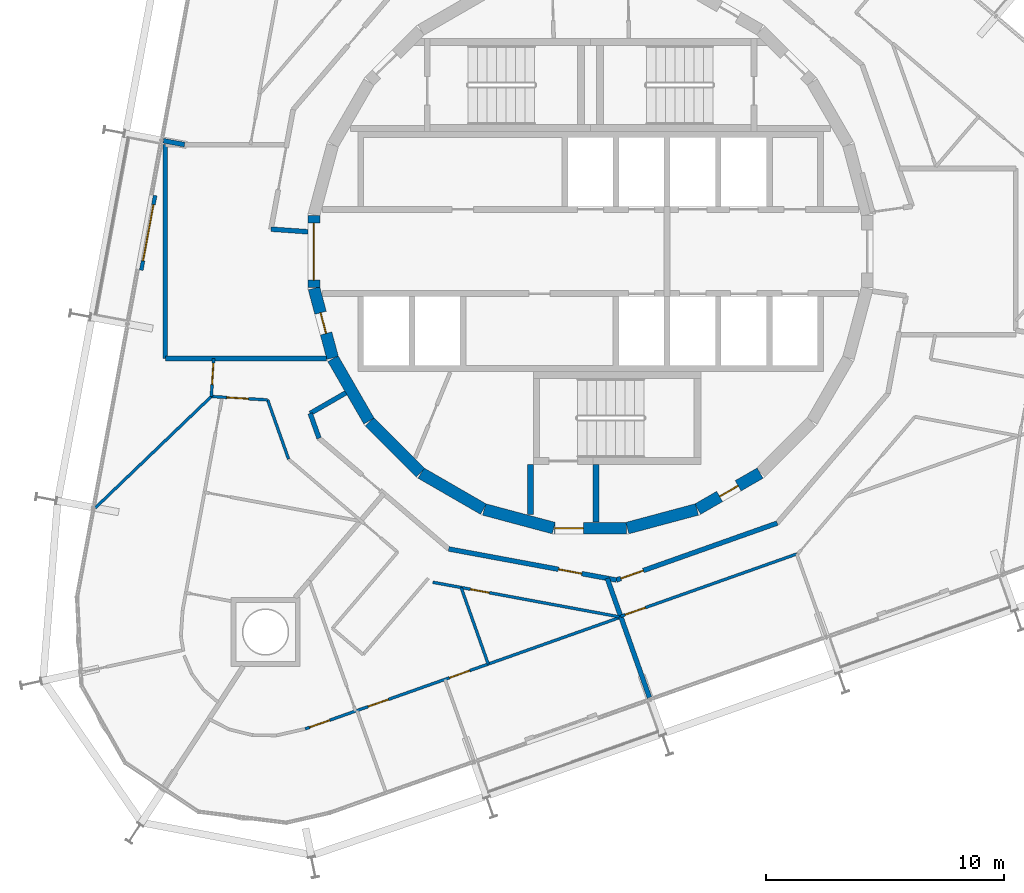
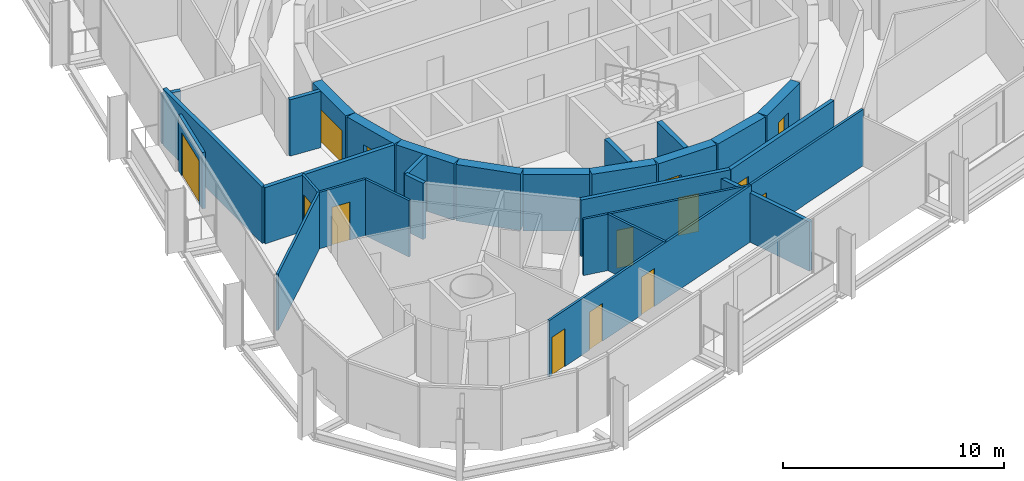
# One storey, part 11 of 17: 29 walls, 14 doors, 14 openings.
"""IFC4 building model written with IfcOpenShell, lengths in metres."""

from ifc_helpers import new_model, si_unit, direction, frame, frame_2d, origin, place, context, subcontext, project, spatial, rectangle, extrude, material, layer, layer_set, type_object, element, fill, save


model = new_model("IFC4")

# Units and contexts
model_context = context("Model", 3, precision=1e-05, world=origin(), true_north=direction((0.0, 1.0)))
body_context = subcontext(model_context, "Body", "Model", "MODEL_VIEW")
ifc_project = project(units=[si_unit("LENGTHUNIT", "METRE"), si_unit("AREAUNIT", "SQUARE_METRE"), si_unit("VOLUMEUNIT", "CUBIC_METRE"), si_unit("PLANEANGLEUNIT", "RADIAN"), si_unit("MASSUNIT", "GRAM", prefix="KILO")], contexts=[model_context])

# Site, building, storey
site_placement = place(None, origin())
site = spatial("IfcSite", under=ifc_project, at=site_placement, CompositionType="ELEMENT")
building_placement = place(site_placement, origin())
building = spatial("IfcBuilding", under=site, at=building_placement, Name="Spindle Arch Residences", CompositionType="ELEMENT")
storey_placement = place(building_placement, frame((0.0, 0.0, 172.699951171875)))
storey = spatial("IfcBuildingStorey", under=building, at=storey_placement, Name="L43", CompositionType="ELEMENT", Elevation=172.699951171875)

# Wall
ifc_material_1 = material(Name="Concrete C50/60", Category="concrete")
ifc_layer_1 = layer(ifc_material_1, 0.5)
ifc_layer_set_1 = layer_set([ifc_layer_1], Name="Core outline wall 500")
wall_type_1 = type_object("IfcWallType", Name="Core outline wall 500", PredefinedType="SHEAR", material=ifc_layer_set_1)
wall_1_placement = place(storey_placement, frame((1.5498046875, -11.642822265625, 0.0), z_axis=(0.0, 0.0, 1.0), x_axis=(0.965948410781, 0.258734743916, 0.0)))
element("IfcWall", 1, at=wall_1_placement, inside=storey, type_object=wall_type_1, Name="Core outline wall 1", PredefinedType="SHEAR", context=body_context, shape_type="SweptSolid", body=[
    extrude(rectangle(XDim=3.03271484375, YDim=0.5, at=frame_2d((1.516357421875, 0.0))), origin(), (0.0, 0.0, 1.0), 3.1201171875),
])

# Wall, opening, door
wall_2_placement = place(storey_placement, frame((4.510498046875, -10.84521484375, 0.0), z_axis=(0.0, 0.0, 1.0), x_axis=(0.865975092491, 0.500087131594, 0.0)))
wall_2 = element("IfcWall", 2, at=wall_2_placement, inside=storey, type_object=wall_type_1, Name="Core outline wall 2", PredefinedType="SHEAR", context=body_context, shape_type="SweptSolid", body=[
    extrude(rectangle(XDim=3.03271484375, YDim=0.5, at=frame_2d((1.516357421875, 0.0))), origin(), (0.0, 0.0, 1.0), 3.1201171875),
])
opening_1_placement = place(wall_2_placement, frame((1.06640625, 0.0, 0.0)))
opening_1 = element("IfcOpeningElement", 3, at=opening_1_placement, cuts=wall_2, Name="Opening R4C0-WD07", PredefinedType="OPENING", context=body_context, shape_type="SweptSolid", body=[
    extrude(rectangle(XDim=0.89990234375, YDim=2.10009765625, at=frame_2d((0.449951171875, 1.050048828125))), frame((0.0, 0.260009765625, 0.0), z_axis=(0.0, -1.0, 0.0), x_axis=(1.0, 0.0, 0.0)), (0.0, 0.0, 1.0), 0.52001953125),
])
ifc_material_2 = material(Name="Steel, fire-resisting door", Category="steel")
door_type_1 = type_object("IfcDoorType", Name="Service room door 900x2100", OperationType="SINGLE_SWING_LEFT", PredefinedType="DOOR", material=ifc_material_2)
door_1_placement = place(opening_1_placement, origin())
door_1 = element("IfcDoor", 4, at=door_1_placement, inside=storey, type_object=door_type_1, Name="Service room door R4C0-WD07", OperationType="SINGLE_SWING_LEFT", OverallHeight=2.10009765625, OverallWidth=0.89990234375, PredefinedType="DOOR", context=body_context, shape_type="SweptSolid", body=[
    extrude(rectangle(XDim=0.89990234375, YDim=2.10009765625, at=frame_2d((0.449951171875, 1.050048828125))), frame((0.0, 0.02490234375, 0.0), z_axis=(0.0, -1.0, 0.0), x_axis=(1.0, 0.0, 0.0)), (0.0, 0.0, 1.0), 0.050048828125),
])
fill(opening_1, door_1)

wall_3_placement = place(storey_placement, frame((-11.647216796875, 1.516357421875, 0.0), z_axis=(0.0, 0.0, 1.0), x_axis=(0.0, -1.0, 0.0)))
wall_3 = element("IfcWall", 5, at=wall_3_placement, inside=storey, type_object=wall_type_1, Name="Core outline wall 18", PredefinedType="SHEAR", context=body_context, shape_type="SweptSolid", body=[
    extrude(rectangle(XDim=3.03271484375, YDim=0.5, at=frame_2d((1.516357421875, 0.0))), origin(), (0.0, 0.0, 1.0), 3.1201171875),
])
opening_2_placement = place(wall_3_placement, frame((0.31640625, 0.0, 0.0)))
opening_2 = element("IfcOpeningElement", 6, at=opening_2_placement, cuts=wall_3, Name="Opening R4C0-LE01", PredefinedType="OPENING", context=body_context, shape_type="SweptSolid", body=[
    extrude(rectangle(XDim=2.39990234375, YDim=2.10009765625, at=frame_2d((1.199951171875, 1.050048828125))), frame((0.0, 0.260009765625, 0.0), z_axis=(0.0, -1.0, 0.0), x_axis=(1.0, 0.0, 0.0)), (0.0, 0.0, 1.0), 0.52001953125),
])
ifc_material_3 = material(Name="Steel, fire-resisting door", Category="steel")
door_type_2 = type_object("IfcDoorType", Name="Lift lobby entrance door 2400x2100", OperationType="DOUBLE_DOOR_SINGLE_SWING", PredefinedType="DOOR", material=ifc_material_3)
door_2_placement = place(opening_2_placement, origin())
door_2 = element("IfcDoor", 7, at=door_2_placement, inside=storey, type_object=door_type_2, Name="Lift lobby entrance door R4C0-LE01", OperationType="DOUBLE_DOOR_SINGLE_SWING", OverallHeight=2.10009765625, OverallWidth=2.39990234375, PredefinedType="DOOR", context=body_context, shape_type="SweptSolid", body=[
    extrude(rectangle(XDim=2.39990234375, YDim=2.10009765625, at=frame_2d((1.199951171875, 1.050048828125))), frame((0.0, 0.02490234375, 0.0), z_axis=(0.0, -1.0, 0.0), x_axis=(1.0, 0.0, 0.0)), (0.0, 0.0, 1.0), 0.050048828125),
])
fill(opening_2, door_2)

wall_4_placement = place(storey_placement, frame((-11.642822265625, -1.5498046875, 0.0), z_axis=(0.0, 0.0, 1.0), x_axis=(0.258734743916, -0.965948410781, 0.0)))
wall_4 = element("IfcWall", 8, at=wall_4_placement, inside=storey, type_object=wall_type_1, Name="Core outline wall 19", PredefinedType="SHEAR", context=body_context, shape_type="SweptSolid", body=[
    extrude(rectangle(XDim=3.03271484375, YDim=0.5, at=frame_2d((1.516357421875, 0.0))), origin(), (0.0, 0.0, 1.0), 3.1201171875),
])
opening_3_placement = place(wall_4_placement, frame((1.06640625, 0.0, 0.0)))
opening_3 = element("IfcOpeningElement", 9, at=opening_3_placement, cuts=wall_4, Name="Opening R4C0-WD08", PredefinedType="OPENING", context=body_context, shape_type="SweptSolid", body=[
    extrude(rectangle(XDim=0.89990234375, YDim=2.10009765625, at=frame_2d((0.449951171875, 1.050048828125))), frame((0.0, 0.260009765625, 0.0), z_axis=(0.0, -1.0, 0.0), x_axis=(1.0, 0.0, 0.0)), (0.0, 0.0, 1.0), 0.52001953125),
])
door_3_placement = place(opening_3_placement, origin())
door_3 = element("IfcDoor", 10, at=door_3_placement, inside=storey, type_object=door_type_1, Name="Service room door R4C0-WD08", OperationType="SINGLE_SWING_RIGHT", OverallHeight=2.10009765625, OverallWidth=0.89990234375, PredefinedType="DOOR", context=body_context, shape_type="SweptSolid", body=[
    extrude(rectangle(XDim=0.89990234375, YDim=2.10009765625, at=frame_2d((0.449951171875, 1.050048828125))), frame((0.0, 0.02490234375, 0.0), z_axis=(0.0, -1.0, 0.0), x_axis=(1.0, 0.0, 0.0)), (0.0, 0.0, 1.0), 0.050048828125),
])
fill(opening_3, door_3)

# Walls
wall_5_placement = place(storey_placement, frame((-10.84521484375, -4.510498046875, 0.0), z_axis=(0.0, 0.0, 1.0), x_axis=(0.500087131594, -0.865975092491, 0.0)))
element("IfcWall", 11, at=wall_5_placement, inside=storey, type_object=wall_type_1, Name="Core outline wall 20", PredefinedType="SHEAR", context=body_context, shape_type="SweptSolid", body=[
    extrude(rectangle(XDim=3.03271484375, YDim=0.5, at=frame_2d((1.516357421875, 0.0))), origin(), (0.0, 0.0, 1.0), 3.1201171875),
])
wall_6_placement = place(storey_placement, frame((-9.30810546875, -7.163818359375, 0.0), z_axis=(0.0, 0.0, 1.0), x_axis=(0.707106781187, -0.707106781187, 0.0)))
element("IfcWall", 12, at=wall_6_placement, inside=storey, type_object=wall_type_1, Name="Core outline wall 21", PredefinedType="SHEAR", context=body_context, shape_type="SweptSolid", body=[
    extrude(rectangle(XDim=3.032470703125, YDim=0.5, at=frame_2d((1.51611328125, 0.0))), origin(), (0.0, 0.0, 1.0), 3.1201171875),
])
for number, where, z_axis, x_axis, name in (
    (13, (-7.13671875, -9.32861328125, 0.0), (0.0, 0.0, 1.0), (0.865975092491, -0.500087131594, 0.0), "Core outline wall 22"),
    (14, (-4.479248046875, -10.858154296875, 0.0), (0.0, 0.0, 1.0), (0.965948410781, -0.258734743916, 0.0), "Core outline wall 23"),
):
    element("IfcWall", number, at=place(storey_placement, frame(where, z_axis=z_axis, x_axis=x_axis)), inside=storey, type_object=wall_type_1, Name=name, PredefinedType="SHEAR", context=body_context, shape_type="SweptSolid", body=[
        extrude(rectangle(XDim=3.03271484375, YDim=0.5, at=frame_2d((1.516357421875, 0.0))), origin(), (0.0, 0.0, 1.0), 3.1201171875),
    ])

# Wall, opening, door
wall_7_placement = place(storey_placement, frame((-1.516357421875, -11.647216796875, 0.0), z_axis=(0.0, 0.0, 1.0), x_axis=(1.0, 0.0, 0.0)))
wall_7 = element("IfcWall", 15, at=wall_7_placement, inside=storey, type_object=wall_type_1, Name="Core outline wall 24", PredefinedType="SHEAR", context=body_context, shape_type="SweptSolid", body=[
    extrude(rectangle(XDim=3.03271484375, YDim=0.5, at=frame_2d((1.516357421875, 0.0))), origin(), (0.0, 0.0, 1.0), 3.1201171875),
])
opening_4_placement = place(wall_7_placement, frame((0.016357421875, 0.0, 0.0)))
opening_4 = element("IfcOpeningElement", 16, at=opening_4_placement, cuts=wall_7, Name="Opening R4C0-AD03", PredefinedType="OPENING", context=body_context, shape_type="SweptSolid", body=[
    extrude(rectangle(XDim=1.199951171875, YDim=2.10009765625, at=frame_2d((0.60009765625, 1.050048828125))), frame((0.0, 0.260009765625, 0.0), z_axis=(0.0, -1.0, 0.0), x_axis=(1.0, 0.0, 0.0)), (0.0, 0.0, 1.0), 0.52001953125),
])
ifc_material_4 = material(Name="Steel, fire-resisting door", Category="steel")
door_type_3 = type_object("IfcDoorType", Name="Stair airlock door 1200x2100", OperationType="SINGLE_SWING_LEFT", PredefinedType="DOOR", material=ifc_material_4)
door_4_placement = place(opening_4_placement, origin())
door_4 = element("IfcDoor", 17, at=door_4_placement, inside=storey, type_object=door_type_3, Name="Stair airlock door R4C0-AD03", OperationType="SINGLE_SWING_RIGHT", OverallHeight=2.10009765625, OverallWidth=1.199951171875, PredefinedType="DOOR", context=body_context, shape_type="SweptSolid", body=[
    extrude(rectangle(XDim=1.199951171875, YDim=2.10009765625, at=frame_2d((0.60009765625, 1.050048828125))), frame((0.0, 0.02490234375, 0.0), z_axis=(0.0, -1.0, 0.0), x_axis=(1.0, 0.0, 0.0)), (0.0, 0.0, 1.0), 0.050048828125),
])
fill(opening_4, door_4)

# Walls
ifc_material_5 = material(Name="Calcium silicate block, plastered")
ifc_layer_2 = layer(ifc_material_5, 0.199951171875)
ifc_layer_set_2 = layer_set([ifc_layer_2], Name="Corridor wall 200")
wall_type_2 = type_object("IfcWallType", Name="Corridor wall 200", PredefinedType="STANDARD", material=ifc_layer_set_2)
wall_8_placement = place(storey_placement, frame((-10.303466796875, -5.94873046875, 0.0), z_axis=(0.0, 0.0, 1.0), x_axis=(-0.866021168401, -0.500007335828, 0.0)))
element("IfcWall", 18, at=wall_8_placement, inside=storey, type_object=wall_type_2, Name="Corridor wall R4C0-W014", PredefinedType="STANDARD", context=body_context, shape_type="SweptSolid", body=[
    extrude(rectangle(XDim=1.73095703125, YDim=0.199951171875, at=frame_2d((0.865478515625, 0.0))), origin(), (0.0, 0.0, 1.0), 3.1201171875),
])
wall_9_placement = place(storey_placement, frame((-11.802490234375, -6.814208984375, 0.0), z_axis=(0.0, 0.0, 1.0), x_axis=(0.333904297771, -0.942606980629, 0.0)))
element("IfcWall", 19, at=wall_9_placement, inside=storey, type_object=wall_type_2, Name="Corridor wall R4C0-W015", PredefinedType="STANDARD", context=body_context, shape_type="SweptSolid", body=[
    extrude(rectangle(XDim=1.10693359375, YDim=0.199951171875, at=frame_2d((0.553466796875, 0.0))), origin(), (0.0, 0.0, 1.0), 3.1201171875),
])

# Wall, opening, door
wall_10_placement = place(storey_placement, frame((-5.972412109375, -12.521240234375, 0.0), z_axis=(0.0, 0.0, 1.0), x_axis=(0.983256068163, -0.18222926335, 0.0)))
wall_10 = element("IfcWall", 20, at=wall_10_placement, inside=storey, type_object=wall_type_2, Name="Corridor wall R4C0-W017", PredefinedType="STANDARD", context=body_context, shape_type="SweptSolid", body=[
    extrude(rectangle(XDim=7.180908203125, YDim=0.199951171875, at=frame_2d((3.59033203125, 0.0))), origin(), (0.0, 0.0, 1.0), 3.1201171875),
])
opening_5_placement = place(wall_10_placement, frame((4.699951171875, 0.0, 0.0)))
opening_5 = element("IfcOpeningElement", 21, at=opening_5_placement, cuts=wall_10, Name="Opening R4C0-FD05", PredefinedType="OPENING", context=body_context, shape_type="SweptSolid", body=[
    extrude(rectangle(XDim=1.0, YDim=2.10009765625, at=frame_2d((0.5, 1.050048828125))), frame((0.0, 0.10986328125, 0.0), z_axis=(0.0, -1.0, 0.0), x_axis=(1.0, 0.0, 0.0)), (0.0, 0.0, 1.0), 0.219970703125),
])
ifc_material_6 = material(Name="Timber, fire-resisting door set", Category="wood")
door_type_4 = type_object("IfcDoorType", Name="Flat entrance door 1000x2100", OperationType="NOTDEFINED", PredefinedType="DOOR", material=ifc_material_6)
door_5_placement = place(opening_5_placement, origin())
door_5 = element("IfcDoor", 22, at=door_5_placement, inside=storey, type_object=door_type_4, Name="Flat entrance door R4C0-FD05", OperationType="SINGLE_SWING_LEFT", OverallHeight=2.10009765625, OverallWidth=1.0, PredefinedType="DOOR", context=body_context, shape_type="SweptSolid", body=[
    extrude(rectangle(XDim=1.0, YDim=2.10009765625, at=frame_2d((0.5, 1.050048828125))), frame((0.0, 0.02490234375, 0.0), z_axis=(0.0, -1.0, 0.0), x_axis=(1.0, 0.0, 0.0)), (0.0, 0.0, 1.0), 0.050048828125),
])
fill(opening_5, door_5)

wall_11_placement = place(storey_placement, frame((1.08837890625, -13.829833984375, 0.0), z_axis=(0.0, 0.0, 1.0), x_axis=(0.942648397945, 0.333787354241, 0.0)))
wall_11 = element("IfcWall", 23, at=wall_11_placement, inside=storey, type_object=wall_type_2, Name="Corridor wall R4C0-W018", PredefinedType="STANDARD", context=body_context, shape_type="SweptSolid", body=[
    extrude(rectangle(XDim=7.18115234375, YDim=0.199951171875, at=frame_2d((3.590576171875, 0.0))), origin(), (0.0, 0.0, 1.0), 3.1201171875),
])
opening_6_placement = place(wall_11_placement, frame((0.199951171875, 0.0, 0.0)))
opening_6 = element("IfcOpeningElement", 24, at=opening_6_placement, cuts=wall_11, Name="Opening R4C0-FD06", PredefinedType="OPENING", context=body_context, shape_type="SweptSolid", body=[
    extrude(rectangle(XDim=1.0, YDim=2.10009765625, at=frame_2d((0.5, 1.050048828125))), frame((0.0, 0.10986328125, 0.0), z_axis=(0.0, -1.0, 0.0), x_axis=(1.0, 0.0, 0.0)), (0.0, 0.0, 1.0), 0.219970703125),
])
door_6_placement = place(opening_6_placement, origin())
door_6 = element("IfcDoor", 25, at=door_6_placement, inside=storey, type_object=door_type_4, Name="Flat entrance door R4C0-FD06", OperationType="SINGLE_SWING_LEFT", OverallHeight=2.10009765625, OverallWidth=1.0, PredefinedType="DOOR", context=body_context, shape_type="SweptSolid", body=[
    extrude(rectangle(XDim=1.0, YDim=2.10009765625, at=frame_2d((0.5, 1.050048828125))), frame((0.0, 0.02490234375, 0.0), z_axis=(0.0, -1.0, 0.0), x_axis=(1.0, 0.0, 0.0)), (0.0, 0.0, 1.0), 0.050048828125),
])
fill(opening_6, door_6)

ifc_material_7 = material(Name="Plasterboard on steel studs", Category="steel")
ifc_layer_3 = layer(ifc_material_7, 0.1201171875)
ifc_layer_set_3 = layer_set([ifc_layer_3], Name="Flat partition 120")
wall_type_3 = type_object("IfcWallType", Name="Flat partition 120", PredefinedType="PARTITIONING", material=ifc_layer_set_3)
wall_12_placement = place(storey_placement, frame((-15.866455078125, -4.5, 0.0), z_axis=(0.0, 0.0, 1.0), x_axis=(-0.060986374837, -0.998138598635, 0.0)))
wall_12 = element("IfcWall", 26, at=wall_12_placement, inside=storey, type_object=wall_type_3, Name="Flat partition R4C0-W082", PredefinedType="PARTITIONING", context=body_context, shape_type="SweptSolid", body=[
    extrude(rectangle(XDim=1.605224609375, YDim=0.1201171875, at=frame_2d((0.802734375, 0.0))), origin(), (0.0, 0.0, 1.0), 3.1201171875),
])
opening_7_placement = place(wall_12_placement, frame((0.199951171875, 0.0, 0.0)))
opening_7 = element("IfcOpeningElement", 27, at=opening_7_placement, cuts=wall_12, Name="Opening R4C0-ID17", PredefinedType="OPENING", context=body_context, shape_type="SweptSolid", body=[
    extrude(rectangle(XDim=0.89990234375, YDim=2.10009765625, at=frame_2d((0.449951171875, 1.050048828125))), frame((0.0, 0.070068359375, 0.0), z_axis=(0.0, -1.0, 0.0), x_axis=(1.0, 0.0, 0.0)), (0.0, 0.0, 1.0), 0.14013671875),
])
ifc_material_8 = material(Name="Timber door set", Category="wood")
door_type_5 = type_object("IfcDoorType", Name="Room door 900x2100", OperationType="NOTDEFINED", PredefinedType="DOOR", material=ifc_material_8)
door_7_placement = place(opening_7_placement, origin())
door_7 = element("IfcDoor", 28, at=door_7_placement, inside=storey, type_object=door_type_5, Name="Room door R4C0-ID17", OperationType="SINGLE_SWING_RIGHT", OverallHeight=2.10009765625, OverallWidth=0.89990234375, PredefinedType="DOOR", context=body_context, shape_type="SweptSolid", body=[
    extrude(rectangle(XDim=0.89990234375, YDim=2.10009765625, at=frame_2d((0.449951171875, 1.050048828125))), frame((0.0, 0.02490234375, 0.0), z_axis=(0.0, -1.0, 0.0), x_axis=(1.0, 0.0, 0.0)), (0.0, 0.0, 1.0), 0.050048828125),
])
fill(opening_7, door_7)

wall_13_placement = place(storey_placement, frame((-15.96435546875, -6.102294921875, 0.0), z_axis=(0.0, 0.0, 1.0), x_axis=(0.998145469708, -0.060873814574, 0.0)))
wall_13 = element("IfcWall", 29, at=wall_13_placement, inside=storey, type_object=wall_type_3, Name="Flat partition R4C0-W083", PredefinedType="PARTITIONING", context=body_context, shape_type="SweptSolid", body=[
    extrude(rectangle(XDim=2.374267578125, YDim=0.1201171875, at=frame_2d((1.18701171875, 0.0))), origin(), (0.0, 0.0, 1.0), 3.1201171875),
])
opening_8_placement = place(wall_13_placement, frame((0.655517578125, 0.0, 0.0)))
opening_8 = element("IfcOpeningElement", 30, at=opening_8_placement, cuts=wall_13, Name="Opening R4C0-ID18", PredefinedType="OPENING", context=body_context, shape_type="SweptSolid", body=[
    extrude(rectangle(XDim=0.89990234375, YDim=2.10009765625, at=frame_2d((0.449951171875, 1.050048828125))), frame((0.0, 0.070068359375, 0.0), z_axis=(0.0, -1.0, 0.0), x_axis=(1.0, 0.0, 0.0)), (0.0, 0.0, 1.0), 0.14013671875),
])
door_8_placement = place(opening_8_placement, origin())
door_8 = element("IfcDoor", 31, at=door_8_placement, inside=storey, type_object=door_type_5, Name="Room door R4C0-ID18", OperationType="SINGLE_SWING_RIGHT", OverallHeight=2.10009765625, OverallWidth=0.89990234375, PredefinedType="DOOR", context=body_context, shape_type="SweptSolid", body=[
    extrude(rectangle(XDim=0.89990234375, YDim=2.10009765625, at=frame_2d((0.449951171875, 1.050048828125))), frame((0.0, 0.02490234375, 0.0), z_axis=(0.0, -1.0, 0.0), x_axis=(1.0, 0.0, 0.0)), (0.0, 0.0, 1.0), 0.050048828125),
])
fill(opening_8, door_8)

# Walls
wall_14_placement = place(storey_placement, frame((-13.594482421875, -6.246826171875, 0.0), z_axis=(0.0, 0.0, 1.0), x_axis=(0.333777006894, -0.942652061828, 0.0)))
element("IfcWall", 32, at=wall_14_placement, inside=storey, type_object=wall_type_3, Name="Flat partition R4C0-W084", PredefinedType="PARTITIONING", context=body_context, shape_type="SweptSolid", body=[
    extrude(rectangle(XDim=2.64208984375, YDim=0.1201171875, at=frame_2d((1.321044921875, 0.0))), origin(), (0.0, 0.0, 1.0), 3.1201171875),
])
wall_15_placement = place(storey_placement, frame((-20.8486328125, -10.79150390625, 0.0), z_axis=(0.0, 0.0, 1.0), x_axis=(0.721364983662, 0.692555095531, 0.0)))
element("IfcWall", 33, at=wall_15_placement, inside=storey, type_object=wall_type_3, Name="Flat partition R4C0-W086", PredefinedType="PARTITIONING", context=body_context, shape_type="SweptSolid", body=[
    extrude(rectangle(XDim=6.77099609375, YDim=0.1201171875, at=frame_2d((3.385498046875, 0.0))), origin(), (0.0, 0.0, 1.0), 3.1201171875),
])

# Wall, opening, door
wall_16_placement = place(storey_placement, frame((-6.640869140625, -13.9228515625, 0.0), z_axis=(0.0, 0.0, 1.0), x_axis=(0.983250157272, -0.182261153912, 0.0)))
wall_16 = element("IfcWall", 34, at=wall_16_placement, inside=storey, type_object=wall_type_3, Name="Flat partition R4C0-W099", PredefinedType="PARTITIONING", context=body_context, shape_type="SweptSolid", body=[
    extrude(rectangle(XDim=7.98486328125, YDim=0.1201171875, at=frame_2d((3.992431640625, 0.0))), origin(), (0.0, 0.0, 1.0), 3.1201171875),
])
opening_9_placement = place(wall_16_placement, frame((1.6123046875, 0.0, 0.0)))
opening_9 = element("IfcOpeningElement", 35, at=opening_9_placement, cuts=wall_16, Name="Opening R4C0-BD05", PredefinedType="OPENING", context=body_context, shape_type="SweptSolid", body=[
    extrude(rectangle(XDim=0.800048828125, YDim=2.10009765625, at=frame_2d((0.39990234375, 1.050048828125))), frame((0.0, 0.070068359375, 0.0), z_axis=(0.0, -1.0, 0.0), x_axis=(1.0, 0.0, 0.0)), (0.0, 0.0, 1.0), 0.14013671875),
])
ifc_material_9 = material(Name="Timber door set", Category="wood")
door_type_6 = type_object("IfcDoorType", Name="Bathroom door 800x2100", OperationType="NOTDEFINED", PredefinedType="DOOR", material=ifc_material_9)
door_9_placement = place(opening_9_placement, origin())
door_9 = element("IfcDoor", 36, at=door_9_placement, inside=storey, type_object=door_type_6, Name="Bathroom door R4C0-BD05", OperationType="SINGLE_SWING_LEFT", OverallHeight=2.10009765625, OverallWidth=0.800048828125, PredefinedType="DOOR", context=body_context, shape_type="SweptSolid", body=[
    extrude(rectangle(XDim=0.800048828125, YDim=2.10009765625, at=frame_2d((0.39990234375, 1.050048828125))), frame((0.0, 0.02490234375, 0.0), z_axis=(0.0, -1.0, 0.0), x_axis=(1.0, 0.0, 0.0)), (0.0, 0.0, 1.0), 0.050048828125),
])
fill(opening_9, door_9)

# Wall, openings, doors
wall_17_placement = place(storey_placement, frame((-12.0146484375, -20.09619140625, 0.0), z_axis=(0.0, 0.0, 1.0), x_axis=(0.942638913957, 0.33381413675, 0.0)))
wall_17 = element("IfcWall", 37, at=wall_17_placement, inside=storey, type_object=wall_type_3, Name="Flat partition R4C0-W104", PredefinedType="PARTITIONING", context=body_context, shape_type="SweptSolid", body=[
    extrude(rectangle(XDim=14.103759765625, YDim=0.1201171875, at=frame_2d((7.0517578125, 0.0))), origin(), (0.0, 0.0, 1.0), 3.1201171875),
])
opening_10_placement = place(wall_17_placement, frame((2.813720703125, 0.0, 0.0)))
opening_10 = element("IfcOpeningElement", 38, at=opening_10_placement, cuts=wall_17, Name="Opening R4C0-ID24", PredefinedType="OPENING", context=body_context, shape_type="SweptSolid", body=[
    extrude(rectangle(XDim=0.89990234375, YDim=2.10009765625, at=frame_2d((0.449951171875, 1.050048828125))), frame((0.0, 0.070068359375, 0.0), z_axis=(0.0, -1.0, 0.0), x_axis=(1.0, 0.0, 0.0)), (0.0, 0.0, 1.0), 0.14013671875),
])
opening_11_placement = place(wall_17_placement, frame((6.443603515625, 0.0, 0.0)))
opening_11 = element("IfcOpeningElement", 39, at=opening_11_placement, cuts=wall_17, Name="Opening R4C0-ID25", PredefinedType="OPENING", context=body_context, shape_type="SweptSolid", body=[
    extrude(rectangle(XDim=0.89990234375, YDim=2.10009765625, at=frame_2d((0.449951171875, 1.050048828125))), frame((0.0, 0.070068359375, 0.0), z_axis=(0.0, -1.0, 0.0), x_axis=(1.0, 0.0, 0.0)), (0.0, 0.0, 1.0), 0.14013671875),
])
opening_12_placement = place(wall_17_placement, frame((0.199951171875, 0.0, 0.0)))
opening_12 = element("IfcOpeningElement", 40, at=opening_12_placement, cuts=wall_17, Name="Opening R4C0-ID26", PredefinedType="OPENING", context=body_context, shape_type="SweptSolid", body=[
    extrude(rectangle(XDim=0.89990234375, YDim=2.10009765625, at=frame_2d((0.449951171875, 1.050048828125))), frame((0.0, 0.070068359375, 0.0), z_axis=(0.0, -1.0, 0.0), x_axis=(1.0, 0.0, 0.0)), (0.0, 0.0, 1.0), 0.14013671875),
])
door_10_placement = place(opening_10_placement, origin())
door_10 = element("IfcDoor", 41, at=door_10_placement, inside=storey, type_object=door_type_5, Name="Room door R4C0-ID24", OperationType="SINGLE_SWING_LEFT", OverallHeight=2.10009765625, OverallWidth=0.89990234375, PredefinedType="DOOR", context=body_context, shape_type="SweptSolid", body=[
    extrude(rectangle(XDim=0.89990234375, YDim=2.10009765625, at=frame_2d((0.449951171875, 1.050048828125))), frame((0.0, 0.02490234375, 0.0), z_axis=(0.0, -1.0, 0.0), x_axis=(1.0, 0.0, 0.0)), (0.0, 0.0, 1.0), 0.050048828125),
])
fill(opening_10, door_10)
door_11_placement = place(opening_11_placement, origin())
door_11 = element("IfcDoor", 42, at=door_11_placement, inside=storey, type_object=door_type_5, Name="Room door R4C0-ID25", OperationType="SINGLE_SWING_LEFT", OverallHeight=2.10009765625, OverallWidth=0.89990234375, PredefinedType="DOOR", context=body_context, shape_type="SweptSolid", body=[
    extrude(rectangle(XDim=0.89990234375, YDim=2.10009765625, at=frame_2d((0.449951171875, 1.050048828125))), frame((0.0, 0.02490234375, 0.0), z_axis=(0.0, -1.0, 0.0), x_axis=(1.0, 0.0, 0.0)), (0.0, 0.0, 1.0), 0.050048828125),
])
fill(opening_11, door_11)
door_12_placement = place(opening_12_placement, origin())
door_12 = element("IfcDoor", 43, at=door_12_placement, inside=storey, type_object=door_type_5, Name="Room door R4C0-ID26", OperationType="SINGLE_SWING_RIGHT", OverallHeight=2.10009765625, OverallWidth=0.89990234375, PredefinedType="DOOR", context=body_context, shape_type="SweptSolid", body=[
    extrude(rectangle(XDim=0.89990234375, YDim=2.10009765625, at=frame_2d((0.449951171875, 1.050048828125))), frame((0.0, 0.02490234375, 0.0), z_axis=(0.0, -1.0, 0.0), x_axis=(1.0, 0.0, 0.0)), (0.0, 0.0, 1.0), 0.050048828125),
])
fill(opening_12, door_12)

# Wall
wall_18_placement = place(storey_placement, frame((-4.3076171875, -17.366943359375, 0.0), z_axis=(0.0, 0.0, 1.0), x_axis=(-0.333802202677, 0.942643140052, 0.0)))
element("IfcWall", 44, at=wall_18_placement, inside=storey, type_object=wall_type_3, Name="Flat partition R4C0-W107", PredefinedType="PARTITIONING", context=body_context, shape_type="SweptSolid", body=[
    extrude(rectangle(XDim=3.419189453125, YDim=0.1201171875, at=frame_2d((1.70947265625, 0.0))), origin(), (0.0, 0.0, 1.0), 3.1201171875),
])

# Wall, opening, door
wall_19_placement = place(storey_placement, frame((1.26904296875, -15.357177734375, 0.0), z_axis=(0.0, 0.0, 1.0), x_axis=(0.942639442898, 0.333812643101, 0.0)))
wall_19 = element("IfcWall", 45, at=wall_19_placement, inside=storey, type_object=wall_type_3, Name="Flat partition R4C0-W109", PredefinedType="PARTITIONING", context=body_context, shape_type="SweptSolid", body=[
    extrude(rectangle(XDim=7.860107421875, YDim=0.1201171875, at=frame_2d((3.93017578125, 0.0))), origin(), (0.0, 0.0, 1.0), 3.1201171875),
])
opening_13_placement = place(wall_19_placement, frame((0.199951171875, 0.0, 0.0)))
opening_13 = element("IfcOpeningElement", 46, at=opening_13_placement, cuts=wall_19, Name="Opening R4C0-ID27", PredefinedType="OPENING", context=body_context, shape_type="SweptSolid", body=[
    extrude(rectangle(XDim=0.89990234375, YDim=2.10009765625, at=frame_2d((0.449951171875, 1.050048828125))), frame((0.0, 0.070068359375, 0.0), z_axis=(0.0, -1.0, 0.0), x_axis=(1.0, 0.0, 0.0)), (0.0, 0.0, 1.0), 0.14013671875),
])
door_13_placement = place(opening_13_placement, origin())
door_13 = element("IfcDoor", 47, at=door_13_placement, inside=storey, type_object=door_type_5, Name="Room door R4C0-ID27", OperationType="SINGLE_SWING_LEFT", OverallHeight=2.10009765625, OverallWidth=0.89990234375, PredefinedType="DOOR", context=body_context, shape_type="SweptSolid", body=[
    extrude(rectangle(XDim=0.89990234375, YDim=2.10009765625, at=frame_2d((0.449951171875, 1.050048828125))), frame((0.0, 0.02490234375, 0.0), z_axis=(0.0, -1.0, 0.0), x_axis=(1.0, 0.0, 0.0)), (0.0, 0.0, 1.0), 0.050048828125),
])
fill(opening_13, door_13)

# Walls
ifc_material_10 = material(Name="Calcium silicate block, plastered")
ifc_layer_4 = layer(ifc_material_10, 0.199951171875)
ifc_layer_set_4 = layer_set([ifc_layer_4], Name="Flat party wall 200 under beam 2730")
wall_type_4 = type_object("IfcWallType", Name="Flat party wall 200 under beam 2730", PredefinedType="STANDARD", material=ifc_layer_set_4)
wall_20_placement = place(storey_placement, frame((-17.98388671875, 4.665283203125, 0.0), z_axis=(0.0, 0.0, 1.0), x_axis=(0.98328378843, -0.182079629313, 0.0)))
element("IfcWall", 48, at=wall_20_placement, inside=storey, type_object=wall_type_4, Name="Flat party wall R4C0-W032", PredefinedType="STANDARD", context=body_context, shape_type="SweptSolid", body=[
    extrude(rectangle(XDim=0.90771484375, YDim=0.199951171875, at=frame_2d((0.453857421875, 0.0))), origin(), (0.0, 0.0, 1.0), 2.72998046875),
])
wall_21_placement = place(storey_placement, frame((2.481689453125, -18.78173828125, 0.0), z_axis=(0.0, 0.0, 1.0), x_axis=(-0.333807281402, 0.942641341594, 0.0)))
element("IfcWall", 49, at=wall_21_placement, inside=storey, type_object=wall_type_4, Name="Flat party wall R4C0-W036", PredefinedType="STANDARD", context=body_context, shape_type="SweptSolid", body=[
    extrude(rectangle(XDim=5.328857421875, YDim=0.199951171875, at=frame_2d((2.66455078125, 0.0))), origin(), (0.0, 0.0, 1.0), 2.72998046875),
])

# Wall, opening, door
ifc_material_11 = material(Name="Non-combustible mineral wool insulated aluminium faced external wall (K0)", Category="aluminium")
ifc_layer_5 = layer(ifc_material_11, 0.159912109375)
ifc_layer_set_5 = layer_set([ifc_layer_5], Name="Insulated external wall panel 160")
wall_type_5 = type_object("IfcWallType", Name="Insulated external wall panel 160", PredefinedType="STANDARD", material=ifc_layer_set_5)
wall_22_placement = place(storey_placement, frame((-18.329833984375, 2.35986328125, 0.0), z_axis=(0.0, 0.0, 1.0), x_axis=(-0.18226136951, -0.983250117307, 0.0)))
wall_22 = element("IfcWall", 50, at=wall_22_placement, inside=storey, type_object=wall_type_5, Name="External wall L43 bay 15", PredefinedType="STANDARD", context=body_context, shape_type="SweptSolid", body=[
    extrude(rectangle(XDim=3.2001953125, YDim=0.159912109375, at=frame_2d((1.60009765625, 0.0))), origin(), (0.0, 0.0, 1.0), 3.1201171875),
])
opening_14_placement = place(wall_22_placement, frame((0.39990234375, 0.0, 0.0)))
opening_14 = element("IfcOpeningElement", 51, at=opening_14_placement, cuts=wall_22, Name="Opening BD15", PredefinedType="OPENING", context=body_context, shape_type="SweptSolid", body=[
    extrude(rectangle(XDim=2.39990234375, YDim=2.39990234375, at=frame_2d((1.199951171875, 1.199951171875))), frame((0.0, 0.08984375, 0.0), z_axis=(0.0, -1.0, 0.0), x_axis=(1.0, 0.0, 0.0)), (0.0, 0.0, 1.0), 0.179931640625),
])
ifc_material_12 = material(Name="Bronze aluminium frame, tinted double glazing", Category="aluminium")
door_type_7 = type_object("IfcDoorType", Name="Sliding glazed balcony door 2400x2400", OperationType="DOUBLE_DOOR_SLIDING", PredefinedType="DOOR", material=ifc_material_12)
door_14_placement = place(opening_14_placement, origin())
door_14 = element("IfcDoor", 52, at=door_14_placement, inside=storey, type_object=door_type_7, Name="Balcony door BD15", OperationType="DOUBLE_DOOR_SLIDING", OverallHeight=2.39990234375, OverallWidth=2.39990234375, PredefinedType="DOOR", context=body_context, shape_type="SweptSolid", body=[
    extrude(rectangle(XDim=2.39990234375, YDim=2.39990234375, at=frame_2d((1.199951171875, 1.199951171875))), frame((0.0, 0.02490234375, 0.0), z_axis=(0.0, -1.0, 0.0), x_axis=(1.0, 0.0, 0.0)), (0.0, 0.0, 1.0), 0.050048828125),
])
fill(opening_14, door_14)

# Walls
ifc_material_13 = material(Name="Calcium silicate block, plastered")
ifc_layer_6 = layer(ifc_material_13, 0.199951171875)
ifc_layer_set_6 = layer_set([ifc_layer_6], Name="Lift lobby bay wall 200")
wall_type_6 = type_object("IfcWallType", Name="Lift lobby bay wall 200", PredefinedType="STANDARD", material=ifc_layer_set_6)
wall_23_placement = place(storey_placement, frame((-13.453857421875, 0.94091796875, 0.0), z_axis=(0.0, 0.0, 1.0), x_axis=(0.99755155062, -0.069934997354, 0.0)))
element("IfcWall", 53, at=wall_23_placement, inside=storey, type_object=wall_type_6, Name="Lift lobby bay wall R4C0-W008", PredefinedType="STANDARD", context=body_context, shape_type="SweptSolid", body=[
    extrude(rectangle(XDim=1.560546875, YDim=0.199951171875, at=frame_2d((0.7802734375, 0.0))), origin(), (0.0, 0.0, 1.0), 3.1201171875),
])
wall_24_placement = place(storey_placement, frame((-17.89990234375, -4.5, 0.0), z_axis=(0.0, 0.0, 1.0), x_axis=(1.0, 0.0, 0.0)))
element("IfcWall", 54, at=wall_24_placement, inside=storey, type_object=wall_type_6, Name="Lift lobby bay wall R4C0-W021", PredefinedType="STANDARD", context=body_context, shape_type="SweptSolid", body=[
    extrude(rectangle(XDim=6.78857421875, YDim=0.199951171875, at=frame_2d((3.394287109375, 0.0))), origin(), (0.0, 0.0, 1.0), 3.1201171875),
])
wall_25_placement = place(storey_placement, frame((-17.89990234375, 4.5, 0.0), z_axis=(0.0, 0.0, 1.0), x_axis=(0.0, -1.0, 0.0)))
element("IfcWall", 55, at=wall_25_placement, inside=storey, type_object=wall_type_6, Name="Lift lobby bay wall R4C0-W022", PredefinedType="STANDARD", context=body_context, shape_type="SweptSolid", body=[
    extrude(rectangle(XDim=9.0, YDim=0.199951171875, at=frame_2d((4.5, 0.0))), origin(), (0.0, 0.0, 1.0), 3.1201171875),
])
ifc_material_14 = material(Name="Concrete C40/50", Category="concrete")
ifc_layer_7 = layer(ifc_material_14, 0.25)
ifc_layer_set_7 = layer_set([ifc_layer_7], Name="Stair airlock wall 250")
wall_type_7 = type_object("IfcWallType", Name="Stair airlock wall 250", PredefinedType="SHEAR", material=ifc_layer_set_7)
wall_26_placement = place(storey_placement, frame((-2.52490234375, -8.969970703125, 0.0), z_axis=(0.0, 0.0, 1.0), x_axis=(0.0, -1.0, 0.0)))
element("IfcWall", 56, at=wall_26_placement, inside=storey, type_object=wall_type_7, Name="Stair ST-3 airlock wall W", PredefinedType="SHEAR", context=body_context, shape_type="SweptSolid", body=[
    extrude(rectangle(XDim=2.110107421875, YDim=0.25, at=frame_2d((1.05517578125, 0.0))), origin(), (0.0, 0.0, 1.0), 3.1201171875),
])
wall_27_placement = place(storey_placement, frame((0.22509765625, -8.969970703125, 0.0), z_axis=(0.0, 0.0, 1.0), x_axis=(0.0, -1.0, 0.0)))
element("IfcWall", 57, at=wall_27_placement, inside=storey, type_object=wall_type_7, Name="Stair ST-3 airlock wall E", PredefinedType="SHEAR", context=body_context, shape_type="SweptSolid", body=[
    extrude(rectangle(XDim=2.409912109375, YDim=0.25, at=frame_2d((1.205078125, 0.0))), origin(), (0.0, 0.0, 1.0), 3.1201171875),
])

save(model, "model.ifc")
